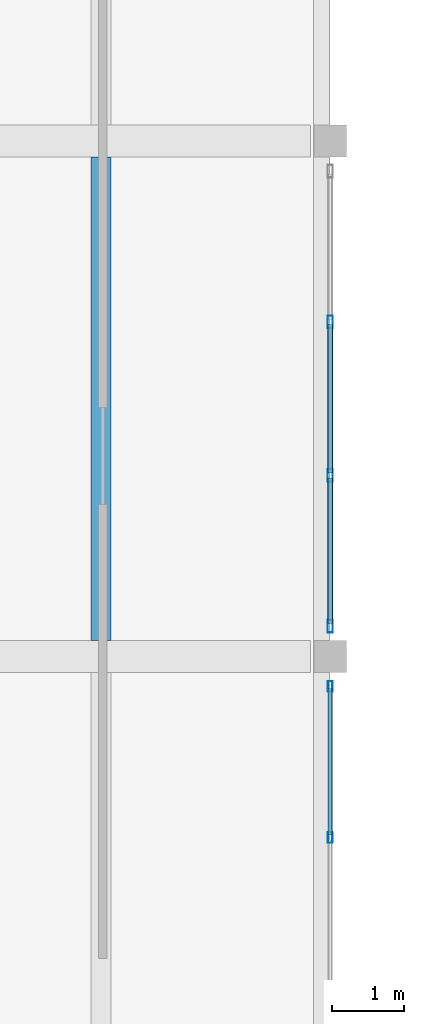
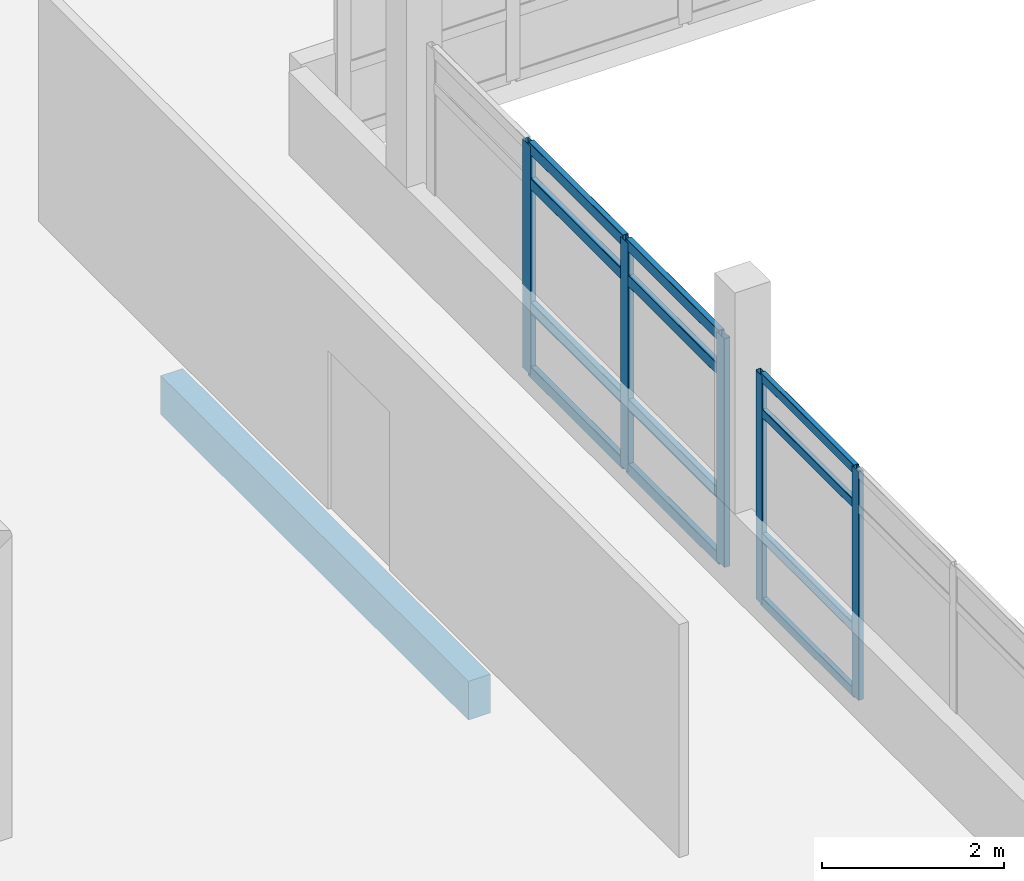
# One storey, part 6 of 50: 17 members, 1 beam, 2 elements without a shape of their own.
"""IFC4 building model written with IfcOpenShell, lengths in metres."""

from ifc_helpers import new_model, si_unit, direction, frame, origin, origin_2d, place, context, subcontext, project, spatial, rectangle, hollow_rectangle, extrude, material, layer, layer_set, material_profile, profile_set, type_object, element, aggregate, save


model = new_model("IFC4")

# Units and contexts
model_context = context("Model", 3, precision=1e-05, world=origin(), true_north=direction((0.0, 1.0)))
body_context = subcontext(model_context, "Body", "Model", "MODEL_VIEW")
ifc_project = project(units=[si_unit("LENGTHUNIT", "METRE"), si_unit("AREAUNIT", "SQUARE_METRE"), si_unit("VOLUMEUNIT", "CUBIC_METRE"), si_unit("PLANEANGLEUNIT", "RADIAN"), si_unit("MASSUNIT", "GRAM", prefix="KILO")], contexts=[model_context])

# Site, building, storey
site_placement = place(None, origin())
site = spatial("IfcSite", under=ifc_project, at=site_placement, CompositionType="ELEMENT")
building_placement = place(site_placement, origin())
building = spatial("IfcBuilding", under=site, at=building_placement, Name="Asteropetra Specialist Clinic", CompositionType="ELEMENT")
storey_placement = place(building_placement, frame((0.0, 0.0, 16.659912109375)))
storey = spatial("IfcBuildingStorey", under=building, at=storey_placement, Name="L04", CompositionType="ELEMENT", Elevation=16.659912109375)

# Curtain wall, members
ifc_material_1 = material(Name="Aluminium and low-E glass", Category="aluminium")
ifc_layer_1 = layer(ifc_material_1, 0.179931640625)
ifc_layer_set_1 = layer_set([ifc_layer_1], Name="Aluminium and low-E glass")
curtain_wall_type_1 = type_object("IfcCurtainWallType", Name="CW-SYS-10", PredefinedType="USERDEFINED", material=ifc_layer_set_1)
curtain_wall_1_placement = place(storey_placement, origin())
curtain_wall_1 = element("IfcCurtainWall", 1, at=curtain_wall_1_placement, inside=storey, type_object=curtain_wall_type_1, Name="Curtain Wall CW-091", ObjectType="STICK GLAZED COLONNADE", PredefinedType="USERDEFINED")
ifc_material_2 = material(Name="Aluminium 6063-T6", Category="aluminium")
ifc_material_profile_1 = material_profile(ifc_material_2, hollow_rectangle(XDim=0.06494140625, YDim=0.14990234375, WallThickness=0.00390625, InnerFilletRadius=0.00390625, OuterFilletRadius=0.008056640625, at=origin_2d()), Name="MUL 150x65x4.0")
ifc_profile_set_1 = profile_set([ifc_material_profile_1], Name="Aluminium 6063-T6")
member_type_1 = type_object("IfcMemberType", Name="CWM-150x65", PredefinedType="MULLION", material=ifc_profile_set_1)
member_1_placement = place(storey_placement, frame((124.800048828125, 25.982421875, 0.0), z_axis=(0.0, 0.0, 1.0), x_axis=(1.0, 0.0, 0.0)))
member_1 = element("IfcMember", 2, at=member_1_placement, type_object=member_type_1, Name="CW-091 mullion 1", PredefinedType="MULLION", context=body_context, shape_type="SweptSolid", body=[
    extrude(hollow_rectangle(XDim=0.06494140625, YDim=0.14990234375, WallThickness=0.00390625, InnerFilletRadius=0.00390625, OuterFilletRadius=0.008056640625, at=origin_2d()), origin(), (0.0, 0.0, 1.0), 3.06005859375),
])
member_2_placement = place(storey_placement, frame((124.800048828125, 23.87158203125, 0.0), z_axis=(0.0, 0.0, 1.0), x_axis=(1.0, 0.0, 0.0)))
member_2 = element("IfcMember", 3, at=member_2_placement, type_object=member_type_1, Name="CW-091 mullion 2", PredefinedType="MULLION", context=body_context, shape_type="SweptSolid", body=[
    extrude(hollow_rectangle(XDim=0.06494140625, YDim=0.14990234375, WallThickness=0.00390625, InnerFilletRadius=0.00390625, OuterFilletRadius=0.008056640625, at=origin_2d()), origin(), (0.0, 0.0, 1.0), 3.06005859375),
])

ifc_material_3 = material(Name="Aluminium and low-E glass", Category="aluminium")
ifc_layer_2 = layer(ifc_material_3, 0.14990234375)
ifc_layer_set_2 = layer_set([ifc_layer_2], Name="Aluminium and low-E glass")
curtain_wall_type_2 = type_object("IfcCurtainWallType", Name="CW-SYS-11", PredefinedType="USERDEFINED", material=ifc_layer_set_2)
curtain_wall_2_placement = place(storey_placement, origin())
curtain_wall_2 = element("IfcCurtainWall", 4, at=curtain_wall_2_placement, inside=storey, type_object=curtain_wall_type_2, Name="Curtain Wall CW-093", ObjectType="STICK GLAZED COLONNADE", PredefinedType="USERDEFINED")
ifc_material_4 = material(Name="Aluminium 6063-T6", Category="aluminium")
ifc_material_profile_2 = material_profile(ifc_material_4, hollow_rectangle(XDim=0.074951171875, YDim=0.179931640625, WallThickness=0.00390625, InnerFilletRadius=0.00390625, OuterFilletRadius=0.008056640625, at=origin_2d()), Name="MUL 180x75x4.0")
ifc_profile_set_2 = profile_set([ifc_material_profile_2], Name="Aluminium 6063-T6")
member_type_2 = type_object("IfcMemberType", Name="CWM-180x75", PredefinedType="MULLION", material=ifc_profile_set_2)
member_3_placement = place(storey_placement, frame((124.800048828125, 31.07177734375, 0.0), z_axis=(0.0, 0.0, 1.0), x_axis=(1.0, 0.0, 0.0)))
member_3 = element("IfcMember", 5, at=member_3_placement, type_object=member_type_2, Name="CW-093 mullion 2", PredefinedType="MULLION", context=body_context, shape_type="SweptSolid", body=[
    extrude(hollow_rectangle(XDim=0.074951171875, YDim=0.179931640625, WallThickness=0.00390625, InnerFilletRadius=0.00390625, OuterFilletRadius=0.008056640625, at=origin_2d()), origin(), (0.0, 0.0, 1.0), 3.06005859375),
])
member_4_placement = place(storey_placement, frame((124.800048828125, 28.92822265625, 0.0), z_axis=(0.0, 0.0, 1.0), x_axis=(1.0, 0.0, 0.0)))
member_4 = element("IfcMember", 6, at=member_4_placement, type_object=member_type_2, Name="CW-093 mullion 3", PredefinedType="MULLION", context=body_context, shape_type="SweptSolid", body=[
    extrude(hollow_rectangle(XDim=0.074951171875, YDim=0.179931640625, WallThickness=0.00390625, InnerFilletRadius=0.00390625, OuterFilletRadius=0.008056640625, at=origin_2d()), origin(), (0.0, 0.0, 1.0), 3.06005859375),
])
member_5_placement = place(storey_placement, frame((124.800048828125, 26.822509765625, 0.0), z_axis=(0.0, 0.0, 1.0), x_axis=(1.0, 0.0, 0.0)))
member_5 = element("IfcMember", 7, at=member_5_placement, type_object=member_type_2, Name="CW-093 mullion 4", PredefinedType="MULLION", context=body_context, shape_type="SweptSolid", body=[
    extrude(hollow_rectangle(XDim=0.074951171875, YDim=0.179931640625, WallThickness=0.00390625, InnerFilletRadius=0.00390625, OuterFilletRadius=0.008056640625, at=origin_2d()), origin(), (0.0, 0.0, 1.0), 3.06005859375),
])

# Member
ifc_material_5 = material(Name="Aluminium 6063-T6", Category="aluminium")
ifc_material_profile_3 = material_profile(ifc_material_5, hollow_rectangle(XDim=0.06494140625, YDim=0.1201171875, WallThickness=0.00390625, InnerFilletRadius=0.00390625, OuterFilletRadius=0.008056640625, at=origin_2d()), Name="TRN 120x65x4.0")
ifc_profile_set_3 = profile_set([ifc_material_profile_3], Name="Aluminium 6063-T6")
member_type_3 = type_object("IfcMemberType", Name="CWT-120x65", PredefinedType="USERDEFINED", material=ifc_profile_set_3)
member_6_placement = place(storey_placement, frame((124.800048828125, 25.949951171875, 0.032470703125), z_axis=(0.0, -1.0, 0.0), x_axis=(1.0, 0.0, 0.0)))
member_6 = element("IfcMember", 8, at=member_6_placement, type_object=member_type_3, Name="CW-091 transom 1.1", ObjectType="TRANSOM", PredefinedType="USERDEFINED", context=body_context, shape_type="SweptSolid", body=[
    extrude(hollow_rectangle(XDim=0.06494140625, YDim=0.1201171875, WallThickness=0.00390625, InnerFilletRadius=0.00390625, OuterFilletRadius=0.008056640625, at=origin_2d()), origin(), (0.0, 0.0, 1.0), 2.0458984375),
])

member_7_placement = place(storey_placement, frame((124.800048828125, 25.949951171875, 0.900146484375), z_axis=(0.0, -1.0, 0.0), x_axis=(1.0, 0.0, 0.0)))
member_7 = element("IfcMember", 9, at=member_7_placement, type_object=member_type_3, Name="CW-091 transom 1.2", ObjectType="TRANSOM", PredefinedType="USERDEFINED", context=body_context, shape_type="SweptSolid", body=[
    extrude(hollow_rectangle(XDim=0.06494140625, YDim=0.1201171875, WallThickness=0.00390625, InnerFilletRadius=0.00390625, OuterFilletRadius=0.008056640625, at=origin_2d()), origin(), (0.0, 0.0, 1.0), 2.0458984375),
])

member_8_placement = place(storey_placement, frame((124.800048828125, 25.949951171875, 2.56005859375), z_axis=(0.0, -1.0, 0.0), x_axis=(1.0, 0.0, 0.0)))
member_8 = element("IfcMember", 10, at=member_8_placement, type_object=member_type_3, Name="CW-091 transom 1.3", ObjectType="TRANSOM", PredefinedType="USERDEFINED", context=body_context, shape_type="SweptSolid", body=[
    extrude(hollow_rectangle(XDim=0.06494140625, YDim=0.1201171875, WallThickness=0.00390625, InnerFilletRadius=0.00390625, OuterFilletRadius=0.008056640625, at=origin_2d()), origin(), (0.0, 0.0, 1.0), 2.0458984375),
])

member_9_placement = place(storey_placement, frame((124.800048828125, 25.949951171875, 3.027587890625), z_axis=(0.0, -1.0, 0.0), x_axis=(1.0, 0.0, 0.0)))
member_9 = element("IfcMember", 11, at=member_9_placement, type_object=member_type_3, Name="CW-091 transom 1.4", ObjectType="TRANSOM", PredefinedType="USERDEFINED", context=body_context, shape_type="SweptSolid", body=[
    extrude(hollow_rectangle(XDim=0.06494140625, YDim=0.1201171875, WallThickness=0.00390625, InnerFilletRadius=0.00390625, OuterFilletRadius=0.008056640625, at=origin_2d()), origin(), (0.0, 0.0, 1.0), 2.0458984375),
])

aggregate(curtain_wall_1, [member_1, member_2, member_6, member_7, member_8, member_9])

ifc_material_6 = material(Name="Aluminium 6063-T6", Category="aluminium")
ifc_material_profile_4 = material_profile(ifc_material_6, hollow_rectangle(XDim=0.074951171875, YDim=0.14990234375, WallThickness=0.00390625, InnerFilletRadius=0.00390625, OuterFilletRadius=0.008056640625, at=origin_2d()), Name="TRN 150x75x4.0")
ifc_profile_set_4 = profile_set([ifc_material_profile_4], Name="Aluminium 6063-T6")
member_type_4 = type_object("IfcMemberType", Name="CWT-150x75", PredefinedType="USERDEFINED", material=ifc_profile_set_4)
member_10_placement = place(storey_placement, frame((124.800048828125, 31.0341796875, 0.03759765625), z_axis=(0.0, -1.0, 0.0), x_axis=(1.0, 0.0, 0.0)))
member_10 = element("IfcMember", 12, at=member_10_placement, type_object=member_type_4, Name="CW-093 transom 2.1", ObjectType="TRANSOM", PredefinedType="USERDEFINED", context=body_context, shape_type="SweptSolid", body=[
    extrude(hollow_rectangle(XDim=0.074951171875, YDim=0.14990234375, WallThickness=0.00390625, InnerFilletRadius=0.00390625, OuterFilletRadius=0.008056640625, at=origin_2d()), origin(), (0.0, 0.0, 1.0), 2.068359375),
])

member_11_placement = place(storey_placement, frame((124.800048828125, 31.0341796875, 0.900146484375), z_axis=(0.0, -1.0, 0.0), x_axis=(1.0, 0.0, 0.0)))
member_11 = element("IfcMember", 13, at=member_11_placement, type_object=member_type_4, Name="CW-093 transom 2.2", ObjectType="TRANSOM", PredefinedType="USERDEFINED", context=body_context, shape_type="SweptSolid", body=[
    extrude(hollow_rectangle(XDim=0.074951171875, YDim=0.14990234375, WallThickness=0.00390625, InnerFilletRadius=0.00390625, OuterFilletRadius=0.008056640625, at=origin_2d()), origin(), (0.0, 0.0, 1.0), 2.068359375),
])

member_12_placement = place(storey_placement, frame((124.800048828125, 31.0341796875, 2.56005859375), z_axis=(0.0, -1.0, 0.0), x_axis=(1.0, 0.0, 0.0)))
member_12 = element("IfcMember", 14, at=member_12_placement, type_object=member_type_4, Name="CW-093 transom 2.3", ObjectType="TRANSOM", PredefinedType="USERDEFINED", context=body_context, shape_type="SweptSolid", body=[
    extrude(hollow_rectangle(XDim=0.074951171875, YDim=0.14990234375, WallThickness=0.00390625, InnerFilletRadius=0.00390625, OuterFilletRadius=0.008056640625, at=origin_2d()), origin(), (0.0, 0.0, 1.0), 2.068359375),
])

member_13_placement = place(storey_placement, frame((124.800048828125, 31.0341796875, 3.022705078125), z_axis=(0.0, -1.0, 0.0), x_axis=(1.0, 0.0, 0.0)))
member_13 = element("IfcMember", 15, at=member_13_placement, type_object=member_type_4, Name="CW-093 transom 2.4", ObjectType="TRANSOM", PredefinedType="USERDEFINED", context=body_context, shape_type="SweptSolid", body=[
    extrude(hollow_rectangle(XDim=0.074951171875, YDim=0.14990234375, WallThickness=0.00390625, InnerFilletRadius=0.00390625, OuterFilletRadius=0.008056640625, at=origin_2d()), origin(), (0.0, 0.0, 1.0), 2.068359375),
])

member_14_placement = place(storey_placement, frame((124.800048828125, 28.890869140625, 0.03759765625), z_axis=(0.0, -1.0, 0.0), x_axis=(1.0, 0.0, 0.0)))
member_14 = element("IfcMember", 16, at=member_14_placement, type_object=member_type_4, Name="CW-093 transom 3.1", ObjectType="TRANSOM", PredefinedType="USERDEFINED", context=body_context, shape_type="SweptSolid", body=[
    extrude(hollow_rectangle(XDim=0.074951171875, YDim=0.14990234375, WallThickness=0.00390625, InnerFilletRadius=0.00390625, OuterFilletRadius=0.008056640625, at=origin_2d()), origin(), (0.0, 0.0, 1.0), 2.03076171875),
])

member_15_placement = place(storey_placement, frame((124.800048828125, 28.890869140625, 0.900146484375), z_axis=(0.0, -1.0, 0.0), x_axis=(1.0, 0.0, 0.0)))
member_15 = element("IfcMember", 17, at=member_15_placement, type_object=member_type_4, Name="CW-093 transom 3.2", ObjectType="TRANSOM", PredefinedType="USERDEFINED", context=body_context, shape_type="SweptSolid", body=[
    extrude(hollow_rectangle(XDim=0.074951171875, YDim=0.14990234375, WallThickness=0.00390625, InnerFilletRadius=0.00390625, OuterFilletRadius=0.008056640625, at=origin_2d()), origin(), (0.0, 0.0, 1.0), 2.03076171875),
])

member_16_placement = place(storey_placement, frame((124.800048828125, 28.890869140625, 2.56005859375), z_axis=(0.0, -1.0, 0.0), x_axis=(1.0, 0.0, 0.0)))
member_16 = element("IfcMember", 18, at=member_16_placement, type_object=member_type_4, Name="CW-093 transom 3.3", ObjectType="TRANSOM", PredefinedType="USERDEFINED", context=body_context, shape_type="SweptSolid", body=[
    extrude(hollow_rectangle(XDim=0.074951171875, YDim=0.14990234375, WallThickness=0.00390625, InnerFilletRadius=0.00390625, OuterFilletRadius=0.008056640625, at=origin_2d()), origin(), (0.0, 0.0, 1.0), 2.03076171875),
])

member_17_placement = place(storey_placement, frame((124.800048828125, 28.890869140625, 3.022705078125), z_axis=(0.0, -1.0, 0.0), x_axis=(1.0, 0.0, 0.0)))
member_17 = element("IfcMember", 19, at=member_17_placement, type_object=member_type_4, Name="CW-093 transom 3.4", ObjectType="TRANSOM", PredefinedType="USERDEFINED", context=body_context, shape_type="SweptSolid", body=[
    extrude(hollow_rectangle(XDim=0.074951171875, YDim=0.14990234375, WallThickness=0.00390625, InnerFilletRadius=0.00390625, OuterFilletRadius=0.008056640625, at=origin_2d()), origin(), (0.0, 0.0, 1.0), 2.03076171875),
])

aggregate(curtain_wall_2, [member_3, member_4, member_5, member_10, member_11, member_12, member_13, member_14, member_15, member_16, member_17])

# Beam
ifc_material_7 = material(Name="Concrete C35/45", Category="concrete")
ifc_material_profile_5 = material_profile(ifc_material_7, rectangle(XDim=0.280029296875, YDim=0.52001953125, at=origin_2d()), Name="RCJ 280x520")
ifc_profile_set_5 = profile_set([ifc_material_profile_5], Name="Concrete C35/45")
beam_type = type_object("IfcBeamType", Name="JST-RC280x520", PredefinedType="JOIST", material=ifc_profile_set_5)
beam_placement = place(storey_placement, frame((121.60009765625, 26.625, -0.559814453125), z_axis=(0.0, 1.0, 0.0), x_axis=(-1.0, 0.0, 0.0)))
element("IfcBeam", 20, at=beam_placement, inside=storey, type_object=beam_type, Name="Joist JJST01-1762", PredefinedType="JOIST", context=body_context, shape_type="SweptSolid", body=[
    extrude(rectangle(XDim=0.280029296875, YDim=0.52001953125, at=origin_2d()), origin(), (0.0, 0.0, 1.0), 6.75),
])

save(model, "model.ifc")
